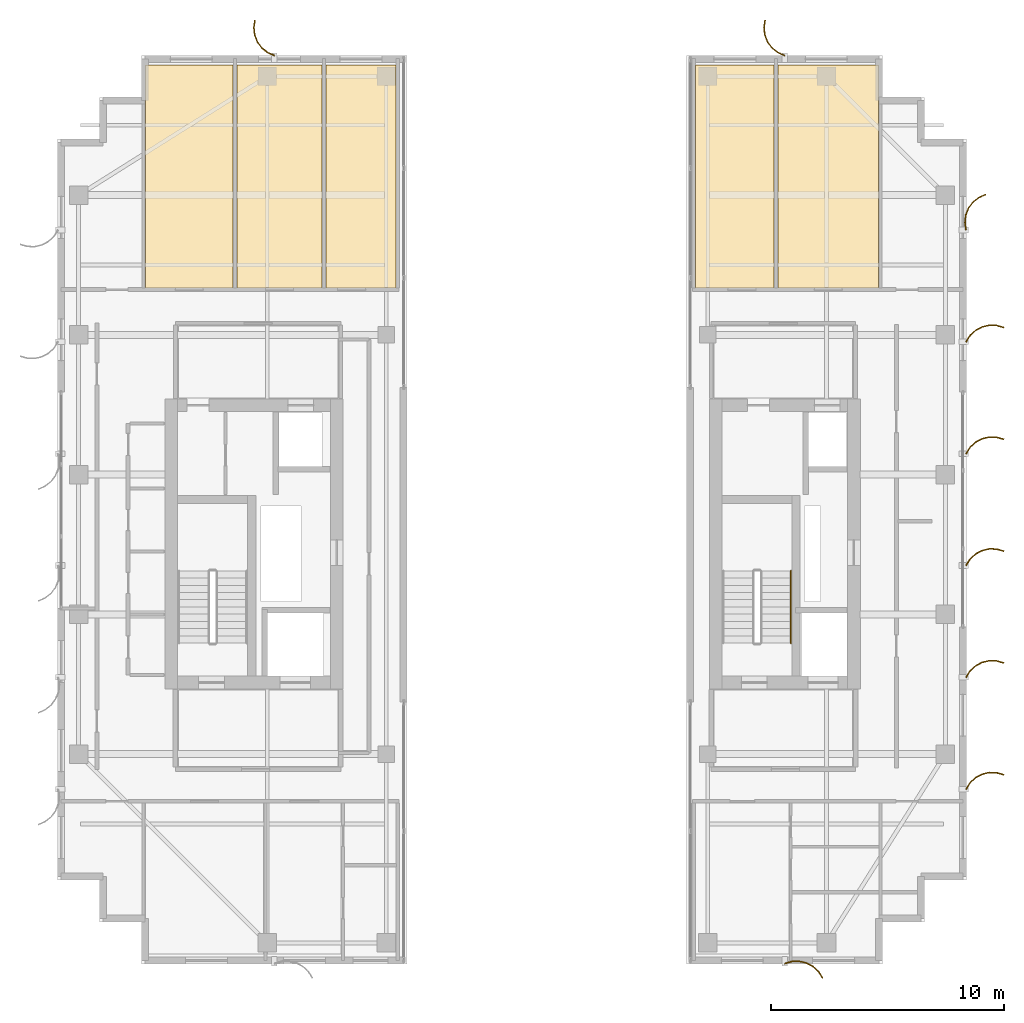
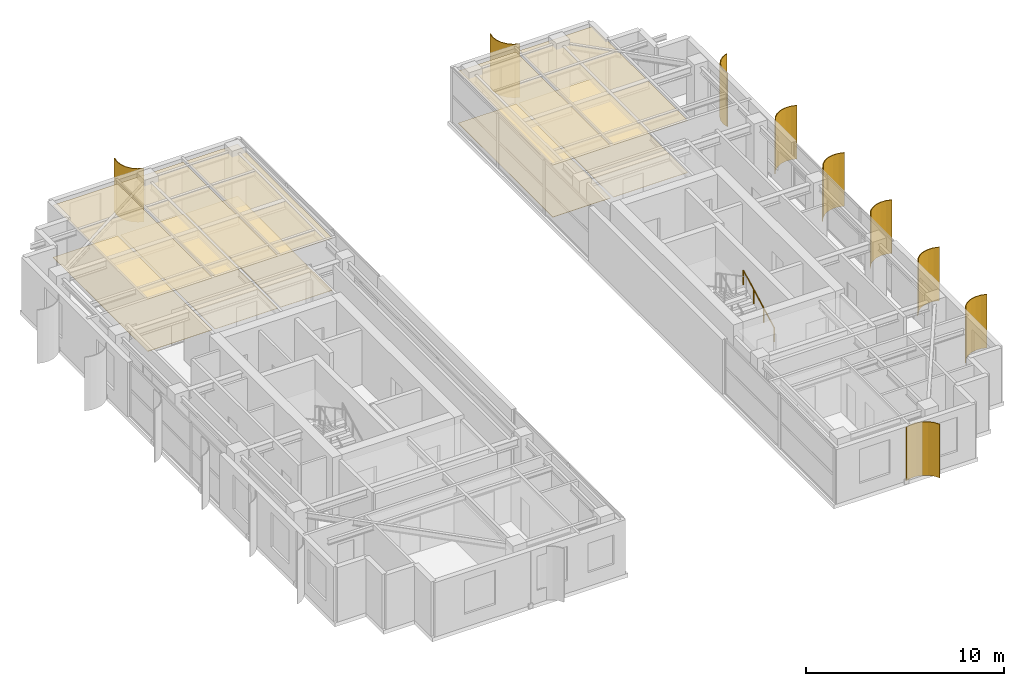
# One storey, part 24 of 24: 10 coverings, 9 shading devices, 1 railing.
"""IFC4 building model written with IfcOpenShell, lengths in metres."""

from ifc_helpers import new_model, si_unit, direction, frame, origin, origin_2d, place, context, subcontext, project, spatial, polyline, circle, outline, extrude, source, transform, mapped, material, layer, layer_set, type_object, element, save


model = new_model("IFC4")

# Units and contexts
model_context = context("Model", 3, precision=1e-05, world=origin(), true_north=direction((0.0, 1.0)))
body_context = subcontext(model_context, "Body", "Model", "MODEL_VIEW")
ifc_project = project(units=[si_unit("LENGTHUNIT", "METRE"), si_unit("AREAUNIT", "SQUARE_METRE"), si_unit("VOLUMEUNIT", "CUBIC_METRE"), si_unit("PLANEANGLEUNIT", "RADIAN"), si_unit("MASSUNIT", "GRAM", prefix="KILO")], contexts=[model_context])

# Site, building, storey
site_placement = place(None, origin())
site = spatial("IfcSite", under=ifc_project, at=site_placement, CompositionType="ELEMENT")
building_placement = place(site_placement, origin())
building = spatial("IfcBuilding", under=site, at=building_placement, Name="Khoralis Quay Care Tower", CompositionType="ELEMENT")
storey_placement = place(building_placement, frame((0.0, 0.0, 231.300048828125)))
storey = spatial("IfcBuildingStorey", under=building, at=storey_placement, Name="L60", CompositionType="ELEMENT", Elevation=231.300048828125)

# Coverings
ifc_material_1 = material(Name="Mineral-fibre acoustic ceiling tile")
ifc_layer_1 = layer(ifc_material_1, 0.01806640625)
ifc_layer_set_1 = layer_set([ifc_layer_1], Name="Mineral-fibre acoustic ceiling tile")
covering_type_1 = type_object("IfcCoveringType", Name="COV-CEIL-AC18", PredefinedType="CEILING", material=ifc_layer_set_1)
covering_1_placement = place(storey_placement, frame((0.0, 0.0, 3.2119140625)))
element("IfcCovering", 1, at=covering_1_placement, inside=storey, type_object=covering_type_1, Name="Suspended Acoustic Ceiling SP-L60-WN-COM0", PredefinedType="CEILING", context=body_context, shape_type="SweptSolid", body=[
    extrude(outline(polyline([(6.760009765625, 32.02001953125), (10.530029296875, 32.02001953125), (10.530029296875, 41.580078125), (6.760009765625, 41.580078125), (6.760009765625, 32.02001953125)])), origin(), (0.0, 0.0, 1.0), 0.01806640625),
])
covering_2_placement = place(storey_placement, frame((0.0, 0.0, 3.2119140625)))
element("IfcCovering", 2, at=covering_2_placement, inside=storey, type_object=covering_type_1, Name="Suspended Acoustic Ceiling SP-L60-WN-COM1", PredefinedType="CEILING", context=body_context, shape_type="SweptSolid", body=[
    extrude(outline(polyline([(10.68994140625, 32.02001953125), (14.35009765625, 32.02001953125), (14.35009765625, 41.580078125), (10.68994140625, 41.580078125), (10.68994140625, 32.02001953125)])), origin(), (0.0, 0.0, 1.0), 0.01806640625),
])
covering_3_placement = place(storey_placement, frame((0.0, 0.0, 3.2119140625)))
element("IfcCovering", 3, at=covering_3_placement, inside=storey, type_object=covering_type_1, Name="Suspended Acoustic Ceiling SP-L60-WN-COM2", PredefinedType="CEILING", context=body_context, shape_type="SweptSolid", body=[
    extrude(outline(polyline([(14.510009765625, 32.02001953125), (17.52001953125, 32.02001953125), (17.52001953125, 41.580078125), (14.510009765625, 41.580078125), (14.510009765625, 32.02001953125)])), origin(), (0.0, 0.0, 1.0), 0.01806640625),
])
covering_4_placement = place(storey_placement, frame((0.0, 0.0, 3.2119140625)))
element("IfcCovering", 4, at=covering_4_placement, inside=storey, type_object=covering_type_1, Name="Suspended Acoustic Ceiling SP-L60-EN-COM0", PredefinedType="CEILING", context=body_context, shape_type="SweptSolid", body=[
    extrude(outline(polyline([(30.3798828125, 32.02001953125), (33.75, 32.02001953125), (33.75, 41.580078125), (30.3798828125, 41.580078125), (30.3798828125, 32.02001953125)])), origin(), (0.0, 0.0, 1.0), 0.01806640625),
])
covering_5_placement = place(storey_placement, frame((0.0, 0.0, 3.2119140625)))
element("IfcCovering", 5, at=covering_5_placement, inside=storey, type_object=covering_type_1, Name="Suspended Acoustic Ceiling SP-L60-EN-COM1", PredefinedType="CEILING", context=body_context, shape_type="SweptSolid", body=[
    extrude(outline(polyline([(33.909912109375, 32.02001953125), (38.239990234375, 32.02001953125), (38.239990234375, 41.580078125), (33.909912109375, 41.580078125), (33.909912109375, 32.02001953125)])), origin(), (0.0, 0.0, 1.0), 0.01806640625),
])
ifc_material_2 = material(Name="Porcelain and non-slip vinyl flooring")
ifc_layer_2 = layer(ifc_material_2, 0.02001953125)
ifc_layer_set_2 = layer_set([ifc_layer_2], Name="Porcelain and non-slip vinyl flooring")
covering_type_2 = type_object("IfcCoveringType", Name="COV-FLOOR-20", PredefinedType="FLOORING", material=ifc_layer_set_2)
covering_6_placement = place(storey_placement, origin())
element("IfcCovering", 6, at=covering_6_placement, inside=storey, type_object=covering_type_2, Name="Resilient Healthcare Flooring SP-L60-WN-COM0", PredefinedType="FLOORING", context=body_context, shape_type="SweptSolid", body=[
    extrude(outline(polyline([(6.760009765625, 32.02001953125), (10.530029296875, 32.02001953125), (10.530029296875, 41.580078125), (6.760009765625, 41.580078125), (6.760009765625, 32.02001953125)])), origin(), (0.0, 0.0, 1.0), 0.02001953125),
])
covering_7_placement = place(storey_placement, origin())
element("IfcCovering", 7, at=covering_7_placement, inside=storey, type_object=covering_type_2, Name="Resilient Healthcare Flooring SP-L60-WN-COM1", PredefinedType="FLOORING", context=body_context, shape_type="SweptSolid", body=[
    extrude(outline(polyline([(10.68994140625, 32.02001953125), (14.35009765625, 32.02001953125), (14.35009765625, 41.580078125), (10.68994140625, 41.580078125), (10.68994140625, 32.02001953125)])), origin(), (0.0, 0.0, 1.0), 0.02001953125),
])
covering_8_placement = place(storey_placement, origin())
element("IfcCovering", 8, at=covering_8_placement, inside=storey, type_object=covering_type_2, Name="Resilient Healthcare Flooring SP-L60-WN-COM2", PredefinedType="FLOORING", context=body_context, shape_type="SweptSolid", body=[
    extrude(outline(polyline([(14.510009765625, 32.02001953125), (17.52001953125, 32.02001953125), (17.52001953125, 41.580078125), (14.510009765625, 41.580078125), (14.510009765625, 32.02001953125)])), origin(), (0.0, 0.0, 1.0), 0.02001953125),
])
covering_9_placement = place(storey_placement, origin())
element("IfcCovering", 9, at=covering_9_placement, inside=storey, type_object=covering_type_2, Name="Resilient Healthcare Flooring SP-L60-EN-COM0", PredefinedType="FLOORING", context=body_context, shape_type="SweptSolid", body=[
    extrude(outline(polyline([(30.3798828125, 32.02001953125), (33.75, 32.02001953125), (33.75, 41.580078125), (30.3798828125, 41.580078125), (30.3798828125, 32.02001953125)])), origin(), (0.0, 0.0, 1.0), 0.02001953125),
])
covering_10_placement = place(storey_placement, origin())
element("IfcCovering", 10, at=covering_10_placement, inside=storey, type_object=covering_type_2, Name="Resilient Healthcare Flooring SP-L60-EN-COM1", PredefinedType="FLOORING", context=body_context, shape_type="SweptSolid", body=[
    extrude(outline(polyline([(33.909912109375, 32.02001953125), (38.239990234375, 32.02001953125), (38.239990234375, 41.580078125), (33.909912109375, 41.580078125), (33.909912109375, 32.02001953125)])), origin(), (0.0, 0.0, 1.0), 0.02001953125),
])

# Railing
ifc_material_3 = material(Name="Brushed stainless steel", Category="steel")
railing_type = type_object("IfcRailingType", Name="RL-HAND-900", PredefinedType="HANDRAIL", material=ifc_material_3)
railing_placement = place(storey_placement, frame((34.469970703125, 16.77001953125, 0.16357421875)))
element("IfcRailing", 11, at=railing_placement, inside=storey, type_object=railing_type, Name="L60 ST-T2 stair handrail 1", PredefinedType="HANDRAIL", context=body_context, shape_type="SweptSolid", body=[
    extrude(circle(Radius=0.02392578125, at=origin_2d()), frame((0.0, 0.0, 0.8759765625), z_axis=(0.0, 0.884348015382, 0.466828220752), x_axis=(-1.0, 0.0, 0.0)), (0.0, 0.0, 1.0), 3.505615234375),
    extrude(circle(Radius=0.02099609375, at=origin_2d()), origin(), (0.0, 0.0, 1.0), 0.851806640625),
    extrude(circle(Radius=0.02099609375, at=origin_2d()), frame((0.0, 1.033447265625, 0.54541015625)), (0.0, 0.0, 1.0), 0.851806640625),
    extrude(circle(Radius=0.02099609375, at=origin_2d()), frame((0.0, 2.066650390625, 1.091064453125)), (0.0, 0.0, 1.0), 0.851806640625),
    extrude(circle(Radius=0.02099609375, at=origin_2d()), frame((0.0, 3.10009765625, 1.636474609375)), (0.0, 0.0, 1.0), 0.851806640625),
])

# Shading devices
ifc_material_4 = material(Name="Brushed pale anodised aluminium", Category="aluminium")
ifc_layer_3 = layer(ifc_material_4, 0.044921875)
ifc_layer_set_3 = layer_set([ifc_layer_3], Name="Brushed pale anodised aluminium")
shading_device_type = type_object("IfcShadingDeviceType", Name="SHD-FIN-1250", PredefinedType="USERDEFINED", material=ifc_layer_set_3)
shared_shape_1 = source(origin(), body_context, "Body", "SweptSolid", [
    extrude(outline(polyline([(0.0, 0.0), (0.130126953125, 0.29931640625), (0.333251953125, 0.5546875), (0.595458984375, 0.748779296875), (0.899169921875, 0.868408203125), (1.223388671875, 0.9052734375), (1.546142578125, 0.85693359375), (1.53369140625, 0.813720703125), (1.22265625, 0.8603515625), (0.91015625, 0.82470703125), (0.617431640625, 0.70947265625), (0.364501953125, 0.522216796875), (0.168701171875, 0.276123046875), (0.043212890625, -0.012451171875), (0.0, 0.0)])), origin(), (0.0, 0.0, 1.0), 3.300048828125),
])
for number, where, z_axis, x_axis, name in (
    (12, (12.300048828125, 41.969970703125, 0.02001953125), (0.0, 0.0, 1.0), (0.0, 1.0, 0.0), "L60 Curved Solar Fin P1E2-01"),
    (13, (34.199951171875, 41.969970703125, 0.02001953125), (0.0, 0.0, 1.0), (0.0, 1.0, 0.0), "L60 Curved Solar Fin P2E10-01"),
):
    element("IfcShadingDevice", number, at=place(storey_placement, frame(where, z_axis=z_axis, x_axis=x_axis)), inside=storey, type_object=shading_device_type, Name=name, ObjectType="FIN", PredefinedType="USERDEFINED", context=body_context, shape_type="MappedRepresentation", body=[
        mapped(shared_shape_1, transform((0.0, 0.0, 0.0), scale=1.0)),
    ])
shared_shape_2 = source(origin(), body_context, "Body", "SweptSolid", [
    extrude(outline(polyline([(0.0, 0.0), (0.17041015625, 0.2783203125), (0.4072265625, 0.5029296875), (0.694091796875, 0.658447265625), (1.01123046875, 0.734619140625), (1.33740234375, 0.72607421875), (1.650390625, 0.633544921875), (1.632080078125, 0.59228515625), (1.330322265625, 0.681640625), (1.015869140625, 0.68994140625), (0.710205078125, 0.616455078125), (0.43359375, 0.466552734375), (0.20556640625, 0.25), (0.041015625, -0.018310546875), (0.0, 0.0)])), origin(), (0.0, 0.0, 1.0), 3.300048828125),
])
for number, where, z_axis, x_axis, name in (
    (14, (41.969970703125, 10.5, 0.02001953125), (0.0, 0.0, 1.0), (1.0, 0.0, 0.0), "L60 Curved Solar Fin P2E5-01"),
    (15, (41.969970703125, 15.300048828125, 0.02001953125), (0.0, 0.0, 1.0), (1.0, 0.0, 0.0), "L60 Curved Solar Fin P2E5-02"),
    (16, (41.969970703125, 20.10009765625, 0.02001953125), (0.0, 0.0, 1.0), (1.0, 0.0, 0.0), "L60 Curved Solar Fin P2E5-03"),
    (17, (41.969970703125, 24.89990234375, 0.02001953125), (0.0, 0.0, 1.0), (1.0, 0.0, 0.0), "L60 Curved Solar Fin P2E5-04"),
    (18, (41.969970703125, 29.699951171875, 0.02001953125), (0.0, 0.0, 1.0), (1.0, 0.0, 0.0), "L60 Curved Solar Fin P2E5-05"),
):
    element("IfcShadingDevice", number, at=place(storey_placement, frame(where, z_axis=z_axis, x_axis=x_axis)), inside=storey, type_object=shading_device_type, Name=name, ObjectType="FIN", PredefinedType="USERDEFINED", context=body_context, shape_type="MappedRepresentation", body=[
        mapped(shared_shape_2, transform((0.0, 0.0, 0.0), scale=1.0)),
    ])
shared_shape_3 = source(origin(), body_context, "Body", "SweptSolid", [
    extrude(outline(polyline([(0.0, 0.0), (-0.04833984375, 0.32275390625), (-0.01123046875, 0.64697265625), (0.1083984375, 0.950439453125), (0.302490234375, 1.212890625), (0.557861328125, 1.416015625), (0.85693359375, 1.546142578125), (0.869384765625, 1.5029296875), (0.5810546875, 1.37744140625), (0.334716796875, 1.181640625), (0.147705078125, 0.9287109375), (0.032470703125, 0.635986328125), (-0.003173828125, 0.323486328125), (0.043212890625, 0.012451171875), (0.0, 0.0)])), origin(), (0.0, 0.0, 1.0), 3.300048828125),
])
shading_device_1_placement = place(storey_placement, frame((41.969970703125, 34.5, 0.02001953125), z_axis=(0.0, 0.0, 1.0), x_axis=(1.0, 0.0, 0.0)))
element("IfcShadingDevice", 19, at=shading_device_1_placement, inside=storey, type_object=shading_device_type, Name="L60 Curved Solar Fin P2E5-06", ObjectType="FIN", PredefinedType="USERDEFINED", context=body_context, shape_type="MappedRepresentation", body=[
    mapped(shared_shape_3, transform((0.0, 0.0, 0.0), scale=1.0)),
])
shared_shape_4 = source(origin(), body_context, "Body", "SweptSolid", [
    extrude(outline(polyline([(0.0, 0.0), (-0.0927734375, 0.31298828125), (-0.101318359375, 0.63916015625), (-0.025146484375, 0.956298828125), (0.130615234375, 1.2431640625), (0.355224609375, 1.479736328125), (0.633544921875, 1.650390625), (0.65185546875, 1.609130859375), (0.383544921875, 1.44482421875), (0.1669921875, 1.216796875), (0.01708984375, 0.940185546875), (-0.056396484375, 0.63427734375), (-0.04833984375, 0.31982421875), (0.041015625, 0.018310546875), (0.0, 0.0)])), origin(), (0.0, 0.0, 1.0), 3.300048828125),
])
shading_device_2_placement = place(storey_placement, frame((34.199951171875, 3.030029296875, 0.02001953125), z_axis=(0.0, 0.0, 1.0), x_axis=(0.0, -1.0, 0.0)))
element("IfcShadingDevice", 20, at=shading_device_2_placement, inside=storey, type_object=shading_device_type, Name="L60 Curved Solar Fin P2E0-01", ObjectType="FIN", PredefinedType="USERDEFINED", context=body_context, shape_type="MappedRepresentation", body=[
    mapped(shared_shape_4, transform((0.0, 0.0, 0.0), scale=1.0)),
])

save(model, "model.ifc")
